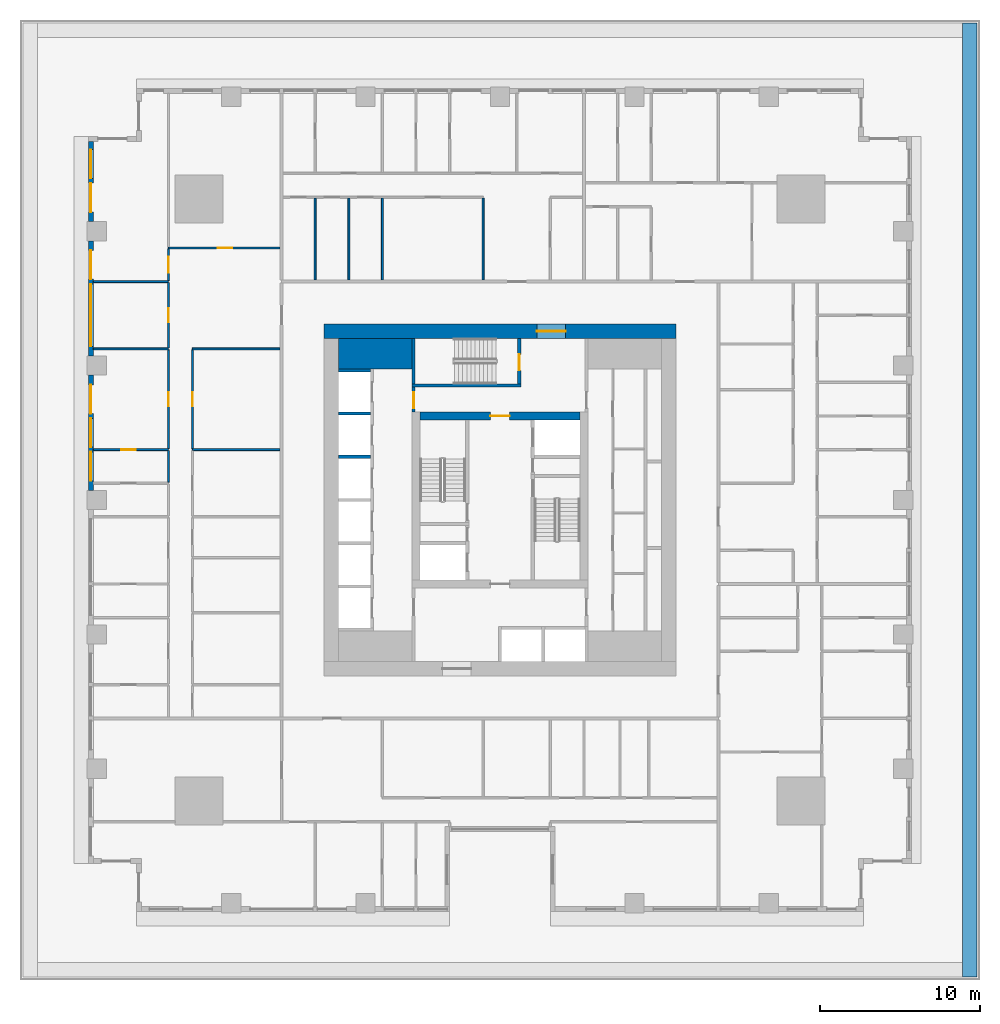
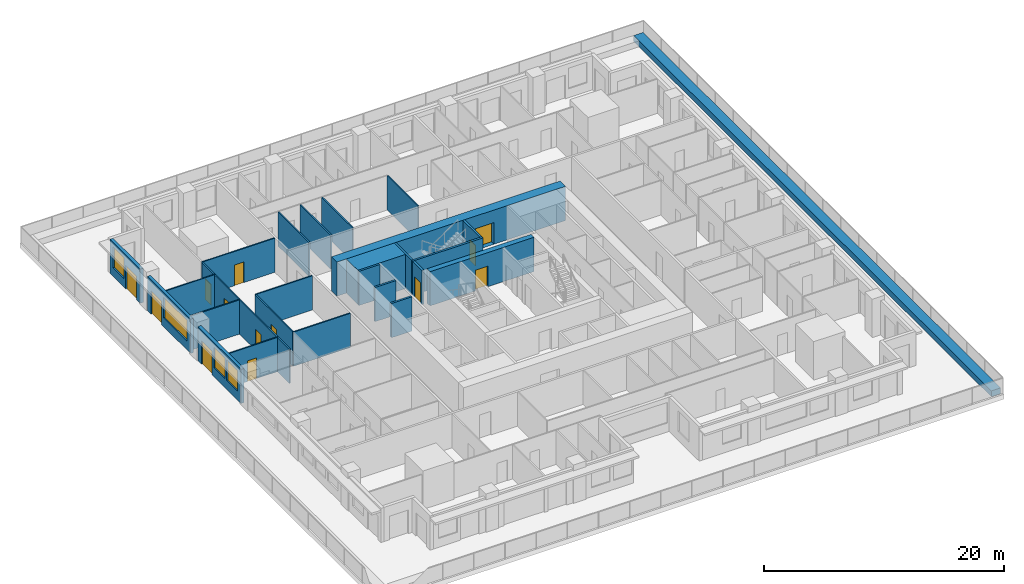
# One storey, part 7 of 16: 29 walls, 13 doors, 4 windows, 17 openings.
"""IFC4 building model written with IfcOpenShell, lengths in metres."""

from ifc_helpers import new_model, si_unit, direction, frame, frame_2d, origin, place, context, subcontext, project, spatial, rectangle, extrude, material, layer, layer_set, type_object, element, fill, save


model = new_model("IFC4")

# Units and contexts
model_context = context("Model", 3, precision=1e-05, world=origin(), true_north=direction((0.0, 1.0)))
body_context = subcontext(model_context, "Body", "Model", "MODEL_VIEW")
ifc_project = project(units=[si_unit("LENGTHUNIT", "METRE"), si_unit("AREAUNIT", "SQUARE_METRE"), si_unit("VOLUMEUNIT", "CUBIC_METRE"), si_unit("PLANEANGLEUNIT", "RADIAN"), si_unit("MASSUNIT", "GRAM", prefix="KILO")], contexts=[model_context])

# Site, building, storey
site_placement = place(None, origin())
site = spatial("IfcSite", under=ifc_project, at=site_placement, CompositionType="ELEMENT")
building_placement = place(site_placement, origin())
building = spatial("IfcBuilding", under=site, at=building_placement, Name="Khepri Terraces", CompositionType="ELEMENT")
storey_placement = place(building_placement, frame((0.0, 0.0, 27.0)))
storey = spatial("IfcBuildingStorey", under=building, at=storey_placement, Name="L05", CompositionType="ELEMENT", Elevation=27.0)

# Walls
ifc_material_1 = material(Name="Concrete C80/95", Category="concrete")
ifc_layer_1 = layer(ifc_material_1, 1.89990234375, Name="Concrete C80/95", Category="concrete")
ifc_layer_set_1 = layer_set([ifc_layer_1], Name="Concrete C80/95")
wall_type_1 = type_object("IfcWallType", Name="Core wall 1900 C80/95", PredefinedType="SHEAR", material=ifc_layer_set_1)
wall_1_placement = place(storey_placement, frame((-10.10009765625, 9.14990234375, 0.0), z_axis=(0.0, 0.0, 1.0), x_axis=(1.0, 0.0, 0.0)))
element("IfcWall", 1, at=wall_1_placement, inside=storey, type_object=wall_type_1, Name="Core wall PR03 L05", PredefinedType="SHEAR", context=body_context, shape_type="SweptSolid", body=[
    extrude(rectangle(XDim=4.60009765625, YDim=1.89990234375, at=frame_2d((2.300048828125, 0.0))), origin(), (0.0, 0.0, 1.0), 3.47998046875),
])
ifc_layer_2 = layer(ifc_material_1, 0.199951171875, Name="Concrete C80/95", Category="concrete")
ifc_layer_set_2 = layer_set([ifc_layer_2], Name="Concrete C80/95")
wall_type_2 = type_object("IfcWallType", Name="Core wall 200 C80/95", PredefinedType="SHEAR", material=ifc_layer_set_2)
wall_2_placement = place(storey_placement, frame((-5.5, 7.14990234375, 0.0), z_axis=(0.0, 0.0, 1.0), x_axis=(1.0, 0.0, 0.0)))
element("IfcWall", 2, at=wall_2_placement, inside=storey, type_object=wall_type_2, Name="Core wall ST05 L05", PredefinedType="SHEAR", context=body_context, shape_type="SweptSolid", body=[
    extrude(rectangle(XDim=6.800048828125, YDim=0.199951171875, at=frame_2d((3.39990234375, 0.0))), origin(), (0.0, 0.0, 1.0), 3.47998046875),
])
wall_3_placement = place(storey_placement, frame((-5.39990234375, 7.25, 0.0), z_axis=(0.0, 0.0, 1.0), x_axis=(0.0, 1.0, 0.0)))
element("IfcWall", 3, at=wall_3_placement, inside=storey, type_object=wall_type_2, Name="Core wall ST06 L05", PredefinedType="SHEAR", context=body_context, shape_type="SweptSolid", body=[
    extrude(rectangle(XDim=2.85009765625, YDim=0.199951171875, at=frame_2d((1.425048828125, 0.0))), origin(), (0.0, 0.0, 1.0), 3.47998046875),
])

# Wall, opening, door
wall_4_placement = place(storey_placement, frame((1.199951171875, 7.25, 0.0), z_axis=(0.0, 0.0, 1.0), x_axis=(0.0, 1.0, 0.0)))
wall_4 = element("IfcWall", 4, at=wall_4_placement, inside=storey, type_object=wall_type_2, Name="Core wall ST07 L05", PredefinedType="SHEAR", context=body_context, shape_type="SweptSolid", body=[
    extrude(rectangle(XDim=2.85009765625, YDim=0.199951171875, at=frame_2d((1.425048828125, 0.0))), origin(), (0.0, 0.0, 1.0), 3.47998046875),
])
opening_1_placement = place(wall_4_placement, frame((0.85009765625, 0.0, 0.0)))
opening_1 = element("IfcOpeningElement", 5, at=opening_1_placement, cuts=wall_4, Name="Opening L05-C15", PredefinedType="OPENING", context=body_context, shape_type="SweptSolid", body=[
    extrude(rectangle(XDim=1.0, YDim=2.10009765625, at=frame_2d((0.5, 1.050048828125))), frame((0.0, 0.10986328125, 0.0), z_axis=(0.0, -1.0, 0.0), x_axis=(1.0, 0.0, 0.0)), (0.0, 0.0, 1.0), 0.219970703125),
])
ifc_material_2 = material(Name="Painted steel", Category="steel")
door_type_1 = type_object("IfcDoorType", Name="DR-CORE-STAIR-1000", OperationType="NOTDEFINED", PredefinedType="DOOR", material=ifc_material_2)
door_1_placement = place(opening_1_placement, origin())
door_1 = element("IfcDoor", 6, at=door_1_placement, inside=storey, type_object=door_type_1, Name="Stair door L05-C15", OperationType="SINGLE_SWING_LEFT", OverallHeight=2.10009765625, OverallWidth=1.0, PredefinedType="DOOR", context=body_context, shape_type="SweptSolid", body=[
    extrude(rectangle(XDim=1.0, YDim=2.10009765625, at=frame_2d((0.5, 1.050048828125))), frame((0.0, 0.02490234375, 0.0), z_axis=(0.0, -1.0, 0.0), x_axis=(1.0, 0.0, 0.0)), (0.0, 0.0, 1.0), 0.050048828125),
])
fill(opening_1, door_1)

# Walls
for number, where, z_axis, x_axis, name in (
    (7, (-10.10009765625, 2.699951171875, 0.0), (0.0, 0.0, 1.0), (1.0, 0.0, 0.0), "Core wall SH17 L05"),
    (8, (-10.10009765625, 5.39990234375, 0.0), (0.0, 0.0, 1.0), (1.0, 0.0, 0.0), "Core wall SH19 L05"),
    (9, (-10.10009765625, 8.10009765625, 0.0), (0.0, 0.0, 1.0), (1.0, 0.0, 0.0), "Core wall SH20 L05"),
):
    element("IfcWall", number, at=place(storey_placement, frame(where, z_axis=z_axis, x_axis=x_axis)), inside=storey, type_object=wall_type_2, Name=name, PredefinedType="SHEAR", context=body_context, shape_type="SweptSolid", body=[
        extrude(rectangle(XDim=2.0, YDim=0.199951171875, at=frame_2d((1.0, 0.0))), origin(), (0.0, 0.0, 1.0), 3.47998046875),
    ])

# Wall, opening, door
ifc_layer_3 = layer(ifc_material_1, 0.5, Name="Concrete C80/95", Category="concrete")
ifc_layer_set_3 = layer_set([ifc_layer_3], Name="Concrete C80/95")
wall_type_3 = type_object("IfcWallType", Name="Core wall 500 C80/95", PredefinedType="SHEAR", material=ifc_layer_set_3)
wall_5_placement = place(storey_placement, frame((-5.0, 5.25, 0.0), z_axis=(0.0, 0.0, 1.0), x_axis=(1.0, 0.0, 0.0)))
wall_5 = element("IfcWall", 10, at=wall_5_placement, inside=storey, type_object=wall_type_3, Name="Core wall BX04 L05", PredefinedType="SHEAR", context=body_context, shape_type="SweptSolid", body=[
    extrude(rectangle(XDim=10.0, YDim=0.5, at=frame_2d((5.0, 0.0))), origin(), (0.0, 0.0, 1.0), 3.47998046875),
])
opening_2_placement = place(wall_5_placement, frame((4.39990234375, 0.0, 0.0)))
opening_2 = element("IfcOpeningElement", 11, at=opening_2_placement, cuts=wall_5, Name="Opening L05-C13", PredefinedType="OPENING", context=body_context, shape_type="SweptSolid", body=[
    extrude(rectangle(XDim=1.199951171875, YDim=2.10009765625, at=frame_2d((0.60009765625, 1.050048828125))), frame((0.0, 0.260009765625, 0.0), z_axis=(0.0, -1.0, 0.0), x_axis=(1.0, 0.0, 0.0)), (0.0, 0.0, 1.0), 0.52001953125),
])
door_type_2 = type_object("IfcDoorType", Name="DR-CORE-FF-LOBBY-1200", OperationType="NOTDEFINED", PredefinedType="DOOR", material=ifc_material_2)
door_2_placement = place(opening_2_placement, frame((1.199951171875, 0.0, 0.0), z_axis=(0.0, 0.0, 1.0), x_axis=(-1.0, 0.0, 0.0)))
door_2 = element("IfcDoor", 12, at=door_2_placement, inside=storey, type_object=door_type_2, Name="Firefighting lobby door L05-C13", OperationType="SINGLE_SWING_LEFT", OverallHeight=2.10009765625, OverallWidth=1.199951171875, PredefinedType="DOOR", context=body_context, shape_type="SweptSolid", body=[
    extrude(rectangle(XDim=1.199951171875, YDim=2.10009765625, at=frame_2d((0.60009765625, 1.050048828125))), frame((0.0, 0.02490234375, 0.0), z_axis=(0.0, -1.0, 0.0), x_axis=(1.0, 0.0, 0.0)), (0.0, 0.0, 1.0), 0.050048828125),
])
fill(opening_2, door_2)

ifc_layer_4 = layer(ifc_material_1, 0.89990234375, Name="Concrete C80/95", Category="concrete")
ifc_layer_set_4 = layer_set([ifc_layer_4], Name="Concrete C80/95")
wall_type_4 = type_object("IfcWallType", Name="Core wall 900 C80/95", PredefinedType="SHEAR", material=ifc_layer_set_4)
wall_6_placement = place(storey_placement, frame((-11.0, 10.550048828125, 0.0), z_axis=(0.0, 0.0, 1.0), x_axis=(1.0, 0.0, 0.0)))
wall_6 = element("IfcWall", 13, at=wall_6_placement, inside=storey, type_object=wall_type_4, Name="Core wall OW-N L05", PredefinedType="SHEAR", context=body_context, shape_type="SweptSolid", body=[
    extrude(rectangle(XDim=22.0, YDim=0.89990234375, at=frame_2d((11.0, 0.0))), origin(), (0.0, 0.0, 1.0), 3.47998046875),
])
opening_3_placement = place(wall_6_placement, frame((13.300048828125, 0.0, 0.0)))
opening_3 = element("IfcOpeningElement", 14, at=opening_3_placement, cuts=wall_6, Name="Opening L05-C20", PredefinedType="OPENING", context=body_context, shape_type="SweptSolid", body=[
    extrude(rectangle(XDim=1.800048828125, YDim=2.199951171875, at=frame_2d((0.89990234375, 1.10009765625))), frame((0.0, 0.4599609375, 0.0), z_axis=(0.0, -1.0, 0.0), x_axis=(1.0, 0.0, 0.0)), (0.0, 0.0, 1.0), 0.919921875),
])
door_type_3 = type_object("IfcDoorType", Name="DR-CORE-ENTRANCE-1800", OperationType="NOTDEFINED", PredefinedType="DOOR", material=ifc_material_2)
door_3_placement = place(opening_3_placement, origin())
door_3 = element("IfcDoor", 15, at=door_3_placement, inside=storey, type_object=door_type_3, Name="Core entrance door pair L05-C20", OperationType="DOUBLE_DOOR_SINGLE_SWING", OverallHeight=2.199951171875, OverallWidth=1.800048828125, PredefinedType="DOOR", context=body_context, shape_type="SweptSolid", body=[
    extrude(rectangle(XDim=1.800048828125, YDim=2.199951171875, at=frame_2d((0.89990234375, 1.10009765625))), frame((0.0, 0.02490234375, 0.0), z_axis=(0.0, -1.0, 0.0), x_axis=(1.0, 0.0, 0.0)), (0.0, 0.0, 1.0), 0.050048828125),
])
fill(opening_3, door_3)

ifc_material_3 = material(Name="Fire-rated gypsum board partition")
ifc_layer_5 = layer(ifc_material_3, 0.199951171875, Name="Fire-rated gypsum board partition")
ifc_layer_set_5 = layer_set([ifc_layer_5], Name="Fire-rated gypsum board partition")
wall_type_5 = type_object("IfcWallType", Name="WL-CORE-PART-200", PredefinedType="PARTITIONING", material=ifc_layer_set_5)
wall_7_placement = place(storey_placement, frame((-5.39990234375, 5.5, 0.0), z_axis=(0.0, 0.0, 1.0), x_axis=(0.0, 1.0, 0.0)))
wall_7 = element("IfcWall", 16, at=wall_7_placement, inside=storey, type_object=wall_type_5, Name="Core partition PT07 L05", PredefinedType="PARTITIONING", context=body_context, shape_type="SweptSolid", body=[
    extrude(rectangle(XDim=1.550048828125, YDim=0.199951171875, at=frame_2d((0.77490234375, 0.0))), origin(), (0.0, 0.0, 1.0), 3.47998046875),
])
opening_4_placement = place(wall_7_placement, frame((0.25, 0.0, 0.0)))
opening_4 = element("IfcOpeningElement", 17, at=opening_4_placement, cuts=wall_7, Name="Opening L05-C16", PredefinedType="OPENING", context=body_context, shape_type="SweptSolid", body=[
    extrude(rectangle(XDim=1.0, YDim=2.10009765625, at=frame_2d((0.5, 1.050048828125))), frame((0.0, 0.10986328125, 0.0), z_axis=(0.0, -1.0, 0.0), x_axis=(1.0, 0.0, 0.0)), (0.0, 0.0, 1.0), 0.219970703125),
])
door_type_4 = type_object("IfcDoorType", Name="DR-CORE-LOBBY-1000", OperationType="NOTDEFINED", PredefinedType="DOOR", material=ifc_material_2)
door_4_placement = place(opening_4_placement, frame((1.0, 0.0, 0.0), z_axis=(0.0, 0.0, 1.0), x_axis=(-1.0, 0.0, 0.0)))
door_4 = element("IfcDoor", 18, at=door_4_placement, inside=storey, type_object=door_type_4, Name="Lobby door L05-C16", OperationType="SINGLE_SWING_RIGHT", OverallHeight=2.10009765625, OverallWidth=1.0, PredefinedType="DOOR", context=body_context, shape_type="SweptSolid", body=[
    extrude(rectangle(XDim=1.0, YDim=2.10009765625, at=frame_2d((0.5, 1.050048828125))), frame((0.0, 0.02490234375, 0.0), z_axis=(0.0, -1.0, 0.0), x_axis=(1.0, 0.0, 0.0)), (0.0, 0.0, 1.0), 0.050048828125),
])
fill(opening_4, door_4)

# Wall, openings, door, window
ifc_material_4 = material(Name="Precast concrete C50/60 warm stone", Category="masonry")
ifc_layer_6 = layer(ifc_material_4, 0.300048828125, Name="Precast concrete C50/60 warm stone", Category="masonry")
ifc_layer_set_6 = layer_set([ifc_layer_6], Name="Precast concrete C50/60 warm stone")
wall_type_6 = type_object("IfcWallType", Name="WL-EXT-PRECAST-300", PredefinedType="STANDARD", material=ifc_layer_set_6)
wall_8_placement = place(storey_placement, frame((-25.570068359375, 22.419921875, 0.0), z_axis=(0.0, 0.0, 1.0), x_axis=(0.0, -1.0, 0.0)))
wall_8 = element("IfcWall", 19, at=wall_8_placement, inside=storey, type_object=wall_type_6, Name="External wall L05 W", PredefinedType="STANDARD", context=body_context, shape_type="SweptSolid", body=[
    extrude(rectangle(XDim=5.02001953125, YDim=0.300048828125, at=frame_2d((2.510009765625, 0.0))), origin(), (0.0, 0.0, 1.0), 3.47998046875),
])
opening_5_placement = place(wall_8_placement, frame((0.52001953125, 0.0, 0.89990234375)))
opening_5 = element("IfcOpeningElement", 20, at=opening_5_placement, cuts=wall_8, Name="Opening W1", PredefinedType="OPENING", context=body_context, shape_type="SweptSolid", body=[
    extrude(rectangle(XDim=1.800048828125, YDim=2.10009765625, at=frame_2d((0.89990234375, 1.050048828125))), frame((0.0, 0.16015625, 0.0), z_axis=(0.0, -1.0, 0.0), x_axis=(1.0, 0.0, 0.0)), (0.0, 0.0, 1.0), 0.320068359375),
])
opening_6_placement = place(wall_8_placement, frame((2.6201171875, 0.0, 0.0)))
opening_6 = element("IfcOpeningElement", 21, at=opening_6_placement, cuts=wall_8, Name="Opening ED-L05-18", PredefinedType="OPENING", context=body_context, shape_type="SweptSolid", body=[
    extrude(rectangle(XDim=1.800048828125, YDim=2.39990234375, at=frame_2d((0.89990234375, 1.199951171875))), frame((0.0, 0.16015625, 0.0), z_axis=(0.0, -1.0, 0.0), x_axis=(1.0, 0.0, 0.0)), (0.0, 0.0, 1.0), 0.320068359375),
])
ifc_material_5 = material(Name="Anodised aluminium bronze glazed door", Category="aluminium")
door_type_5 = type_object("IfcDoorType", Name="DR-BAL-SLIDE-1800x2400", OperationType="NOTDEFINED", PredefinedType="DOOR", material=ifc_material_5)
door_5_placement = place(opening_6_placement, origin())
door_5 = element("IfcDoor", 22, at=door_5_placement, inside=storey, type_object=door_type_5, Name="Balcony door L05 W", OperationType="SLIDING_TO_RIGHT", OverallHeight=2.39990234375, OverallWidth=1.800048828125, PredefinedType="DOOR", context=body_context, shape_type="SweptSolid", body=[
    extrude(rectangle(XDim=1.800048828125, YDim=2.39990234375, at=frame_2d((0.89990234375, 1.199951171875))), frame((0.0, 0.02490234375, 0.0), z_axis=(0.0, -1.0, 0.0), x_axis=(1.0, 0.0, 0.0)), (0.0, 0.0, 1.0), 0.050048828125),
])
fill(opening_6, door_5)
ifc_material_6 = material(Name="Clear glass", Category="glass")
window_type_1 = type_object("IfcWindowType", Name="WIN-RES-1800x2100", PartitioningType="SINGLE_PANEL", PredefinedType="WINDOW", material=ifc_material_6)
window_1_placement = place(opening_5_placement, origin())
window_1 = element("IfcWindow", 23, at=window_1_placement, inside=storey, type_object=window_type_1, Name="Window L05 W", OverallHeight=2.10009765625, OverallWidth=1.800048828125, PartitioningType="SINGLE_PANEL", PredefinedType="WINDOW", context=body_context, shape_type="SweptSolid", body=[
    extrude(rectangle(XDim=1.800048828125, YDim=2.10009765625, at=frame_2d((0.89990234375, 1.050048828125))), frame((0.0, 0.030029296875, 0.0), z_axis=(0.0, -1.0, 0.0), x_axis=(1.0, 0.0, 0.0)), (0.0, 0.0, 1.0), 0.06005859375),
])
fill(opening_5, window_1)

wall_9_placement = place(storey_placement, frame((-25.570068359375, 16.199951171875, 0.0), z_axis=(0.0, 0.0, 1.0), x_axis=(0.0, -1.0, 0.0)))
wall_9 = element("IfcWall", 24, at=wall_9_placement, inside=storey, type_object=wall_type_6, Name="External wall L05 W", PredefinedType="STANDARD", context=body_context, shape_type="SweptSolid", body=[
    extrude(rectangle(XDim=7.199951171875, YDim=0.300048828125, at=frame_2d((3.60009765625, 0.0))), origin(), (0.0, 0.0, 1.0), 3.47998046875),
])
opening_7_placement = place(wall_9_placement, frame((0.60009765625, 0.0, 0.0)))
opening_7 = element("IfcOpeningElement", 25, at=opening_7_placement, cuts=wall_9, Name="Opening ED-L05-19", PredefinedType="OPENING", context=body_context, shape_type="SweptSolid", body=[
    extrude(rectangle(XDim=1.800048828125, YDim=2.39990234375, at=frame_2d((0.89990234375, 1.199951171875))), frame((0.0, 0.16015625, 0.0), z_axis=(0.0, -1.0, 0.0), x_axis=(1.0, 0.0, 0.0)), (0.0, 0.0, 1.0), 0.320068359375),
])
opening_8_placement = place(wall_9_placement, frame((2.699951171875, 0.0, 0.89990234375)))
opening_8 = element("IfcOpeningElement", 26, at=opening_8_placement, cuts=wall_9, Name="Opening W2", PredefinedType="OPENING", context=body_context, shape_type="SweptSolid", body=[
    extrude(rectangle(XDim=3.89990234375, YDim=2.10009765625, at=frame_2d((1.949951171875, 1.050048828125))), frame((0.0, 0.16015625, 0.0), z_axis=(0.0, -1.0, 0.0), x_axis=(1.0, 0.0, 0.0)), (0.0, 0.0, 1.0), 0.320068359375),
])
door_6_placement = place(opening_7_placement, origin())
door_6 = element("IfcDoor", 27, at=door_6_placement, inside=storey, type_object=door_type_5, Name="Balcony door L05 W", OperationType="SLIDING_TO_LEFT", OverallHeight=2.39990234375, OverallWidth=1.800048828125, PredefinedType="DOOR", context=body_context, shape_type="SweptSolid", body=[
    extrude(rectangle(XDim=1.800048828125, YDim=2.39990234375, at=frame_2d((0.89990234375, 1.199951171875))), frame((0.0, 0.02490234375, 0.0), z_axis=(0.0, -1.0, 0.0), x_axis=(1.0, 0.0, 0.0)), (0.0, 0.0, 1.0), 0.050048828125),
])
fill(opening_7, door_6)
window_type_2 = type_object("IfcWindowType", Name="WIN-RES-3900x2100", PartitioningType="SINGLE_PANEL", PredefinedType="WINDOW", material=ifc_material_6)
window_2_placement = place(opening_8_placement, origin())
window_2 = element("IfcWindow", 28, at=window_2_placement, inside=storey, type_object=window_type_2, Name="Window L05 W", OverallHeight=2.10009765625, OverallWidth=3.89990234375, PartitioningType="SINGLE_PANEL", PredefinedType="WINDOW", context=body_context, shape_type="SweptSolid", body=[
    extrude(rectangle(XDim=3.89990234375, YDim=2.10009765625, at=frame_2d((1.949951171875, 1.050048828125))), frame((0.0, 0.030029296875, 0.0), z_axis=(0.0, -1.0, 0.0), x_axis=(1.0, 0.0, 0.0)), (0.0, 0.0, 1.0), 0.06005859375),
])
fill(opening_8, window_2)

# Wall, openings, door, windows
wall_10_placement = place(storey_placement, frame((-25.570068359375, 7.800048828125, 0.0), z_axis=(0.0, 0.0, 1.0), x_axis=(0.0, -1.0, 0.0)))
wall_10 = element("IfcWall", 29, at=wall_10_placement, inside=storey, type_object=wall_type_6, Name="External wall L05 W", PredefinedType="STANDARD", context=body_context, shape_type="SweptSolid", body=[
    extrude(rectangle(XDim=7.199951171875, YDim=0.300048828125, at=frame_2d((3.60009765625, 0.0))), origin(), (0.0, 0.0, 1.0), 3.47998046875),
])
opening_9_placement = place(wall_10_placement, frame((0.60009765625, 0.0, 0.0)))
opening_9 = element("IfcOpeningElement", 30, at=opening_9_placement, cuts=wall_10, Name="Opening ED-L05-20", PredefinedType="OPENING", context=body_context, shape_type="SweptSolid", body=[
    extrude(rectangle(XDim=1.800048828125, YDim=2.39990234375, at=frame_2d((0.89990234375, 1.199951171875))), frame((0.0, 0.16015625, 0.0), z_axis=(0.0, -1.0, 0.0), x_axis=(1.0, 0.0, 0.0)), (0.0, 0.0, 1.0), 0.320068359375),
])
opening_10_placement = place(wall_10_placement, frame((2.699951171875, 0.0, 0.89990234375)))
opening_10 = element("IfcOpeningElement", 31, at=opening_10_placement, cuts=wall_10, Name="Opening W1", PredefinedType="OPENING", context=body_context, shape_type="SweptSolid", body=[
    extrude(rectangle(XDim=1.800048828125, YDim=2.10009765625, at=frame_2d((0.89990234375, 1.050048828125))), frame((0.0, 0.16015625, 0.0), z_axis=(0.0, -1.0, 0.0), x_axis=(1.0, 0.0, 0.0)), (0.0, 0.0, 1.0), 0.320068359375),
])
opening_11_placement = place(wall_10_placement, frame((4.800048828125, 0.0, 0.89990234375)))
opening_11 = element("IfcOpeningElement", 32, at=opening_11_placement, cuts=wall_10, Name="Opening W1", PredefinedType="OPENING", context=body_context, shape_type="SweptSolid", body=[
    extrude(rectangle(XDim=1.800048828125, YDim=2.10009765625, at=frame_2d((0.89990234375, 1.050048828125))), frame((0.0, 0.16015625, 0.0), z_axis=(0.0, -1.0, 0.0), x_axis=(1.0, 0.0, 0.0)), (0.0, 0.0, 1.0), 0.320068359375),
])
door_7_placement = place(opening_9_placement, origin())
door_7 = element("IfcDoor", 33, at=door_7_placement, inside=storey, type_object=door_type_5, Name="Balcony door L05 W", OperationType="SLIDING_TO_LEFT", OverallHeight=2.39990234375, OverallWidth=1.800048828125, PredefinedType="DOOR", context=body_context, shape_type="SweptSolid", body=[
    extrude(rectangle(XDim=1.800048828125, YDim=2.39990234375, at=frame_2d((0.89990234375, 1.199951171875))), frame((0.0, 0.02490234375, 0.0), z_axis=(0.0, -1.0, 0.0), x_axis=(1.0, 0.0, 0.0)), (0.0, 0.0, 1.0), 0.050048828125),
])
fill(opening_9, door_7)
window_3_placement = place(opening_10_placement, origin())
window_3 = element("IfcWindow", 34, at=window_3_placement, inside=storey, type_object=window_type_1, Name="Window L05 W", OverallHeight=2.10009765625, OverallWidth=1.800048828125, PartitioningType="SINGLE_PANEL", PredefinedType="WINDOW", context=body_context, shape_type="SweptSolid", body=[
    extrude(rectangle(XDim=1.800048828125, YDim=2.10009765625, at=frame_2d((0.89990234375, 1.050048828125))), frame((0.0, 0.030029296875, 0.0), z_axis=(0.0, -1.0, 0.0), x_axis=(1.0, 0.0, 0.0)), (0.0, 0.0, 1.0), 0.06005859375),
])
fill(opening_10, window_3)
window_4_placement = place(opening_11_placement, origin())
window_4 = element("IfcWindow", 35, at=window_4_placement, inside=storey, type_object=window_type_1, Name="Window L05 W", OverallHeight=2.10009765625, OverallWidth=1.800048828125, PartitioningType="SINGLE_PANEL", PredefinedType="WINDOW", context=body_context, shape_type="SweptSolid", body=[
    extrude(rectangle(XDim=1.800048828125, YDim=2.10009765625, at=frame_2d((0.89990234375, 1.050048828125))), frame((0.0, 0.030029296875, 0.0), z_axis=(0.0, -1.0, 0.0), x_axis=(1.0, 0.0, 0.0)), (0.0, 0.0, 1.0), 0.06005859375),
])
fill(opening_11, window_4)

# Wall
ifc_material_7 = material(Name="Gypsum plasterboard partition")
ifc_layer_7 = layer(ifc_material_7, 0.1201171875, Name="Gypsum plasterboard partition")
ifc_layer_set_7 = layer_set([ifc_layer_7], Name="Gypsum plasterboard partition")
wall_type_7 = type_object("IfcWallType", Name="WL-PART-120", PredefinedType="PARTITIONING", material=ifc_layer_set_7)
wall_11_placement = place(storey_placement, frame((-20.719970703125, 1.110107421875, 0.0), z_axis=(0.0, 0.0, 1.0), x_axis=(0.0, 1.0, 0.0)))
element("IfcWall", 36, at=wall_11_placement, inside=storey, type_object=wall_type_7, Name="Partition P-062 L05", PredefinedType="PARTITIONING", context=body_context, shape_type="SweptSolid", body=[
    extrude(rectangle(XDim=1.97998046875, YDim=0.1201171875, at=frame_2d((0.989990234375, 0.0))), origin(), (0.0, 0.0, 1.0), 3.47998046875),
])

# Wall, opening, door
wall_12_placement = place(storey_placement, frame((-25.419921875, 3.14990234375, 0.0), z_axis=(0.0, 0.0, 1.0), x_axis=(1.0, 0.0, 0.0)))
wall_12 = element("IfcWall", 37, at=wall_12_placement, inside=storey, type_object=wall_type_7, Name="Partition P-064 L05", PredefinedType="PARTITIONING", context=body_context, shape_type="SweptSolid", body=[
    extrude(rectangle(XDim=4.699951171875, YDim=0.1201171875, at=frame_2d((2.35009765625, 0.0))), origin(), (0.0, 0.0, 1.0), 3.47998046875),
])
opening_12_placement = place(wall_12_placement, frame((1.75, 0.0, 0.0)))
opening_12 = element("IfcOpeningElement", 38, at=opening_12_placement, cuts=wall_12, Name="Opening D3", PredefinedType="OPENING", context=body_context, shape_type="SweptSolid", body=[
    extrude(rectangle(XDim=0.89990234375, YDim=2.10009765625, at=frame_2d((0.449951171875, 1.050048828125))), frame((0.0, 0.070068359375, 0.0), z_axis=(0.0, -1.0, 0.0), x_axis=(1.0, 0.0, 0.0)), (0.0, 0.0, 1.0), 0.14013671875),
])
ifc_material_8 = material(Name="Timber door leaf", Category="wood")
door_type_6 = type_object("IfcDoorType", Name="DR-INT-900", OperationType="NOTDEFINED", PredefinedType="DOOR", material=ifc_material_8)
door_8_placement = place(opening_12_placement, frame((0.89990234375, 0.0, 0.0), z_axis=(0.0, 0.0, 1.0), x_axis=(-1.0, 0.0, 0.0)))
door_8 = element("IfcDoor", 39, at=door_8_placement, inside=storey, type_object=door_type_6, Name="Door Dressing Room", OperationType="SINGLE_SWING_RIGHT", OverallHeight=2.10009765625, OverallWidth=0.89990234375, PredefinedType="DOOR", context=body_context, shape_type="SweptSolid", body=[
    extrude(rectangle(XDim=0.89990234375, YDim=2.10009765625, at=frame_2d((0.449951171875, 1.050048828125))), frame((0.0, 0.02490234375, 0.0), z_axis=(0.0, -1.0, 0.0), x_axis=(1.0, 0.0, 0.0)), (0.0, 0.0, 1.0), 0.050048828125),
])
fill(opening_12, door_8)

# Wall
wall_13_placement = place(storey_placement, frame((-19.219970703125, 3.14990234375, 0.0), z_axis=(0.0, 0.0, 1.0), x_axis=(1.0, 0.0, 0.0)))
element("IfcWall", 40, at=wall_13_placement, inside=storey, type_object=wall_type_7, Name="Partition P-065 L05", PredefinedType="PARTITIONING", context=body_context, shape_type="SweptSolid", body=[
    extrude(rectangle(XDim=5.469970703125, YDim=0.1201171875, at=frame_2d((2.73486328125, 0.0))), origin(), (0.0, 0.0, 1.0), 3.47998046875),
])

# Wall, opening, door
wall_14_placement = place(storey_placement, frame((-20.719970703125, 3.2099609375, 0.0), z_axis=(0.0, 0.0, 1.0), x_axis=(0.0, 1.0, 0.0)))
wall_14 = element("IfcWall", 41, at=wall_14_placement, inside=storey, type_object=wall_type_7, Name="Partition P-067 L05", PredefinedType="PARTITIONING", context=body_context, shape_type="SweptSolid", body=[
    extrude(rectangle(XDim=6.179931640625, YDim=0.1201171875, at=frame_2d((3.08984375, 0.0))), origin(), (0.0, 0.0, 1.0), 3.47998046875),
])
opening_13_placement = place(wall_14_placement, frame((2.639892578125, 0.0, 0.0)))
opening_13 = element("IfcOpeningElement", 42, at=opening_13_placement, cuts=wall_14, Name="Opening D3", PredefinedType="OPENING", context=body_context, shape_type="SweptSolid", body=[
    extrude(rectangle(XDim=0.89990234375, YDim=2.10009765625, at=frame_2d((0.449951171875, 1.050048828125))), frame((0.0, 0.070068359375, 0.0), z_axis=(0.0, -1.0, 0.0), x_axis=(1.0, 0.0, 0.0)), (0.0, 0.0, 1.0), 0.14013671875),
])
door_9_placement = place(opening_13_placement, origin())
door_9 = element("IfcDoor", 43, at=door_9_placement, inside=storey, type_object=door_type_6, Name="Door Master Bedroom", OperationType="SINGLE_SWING_LEFT", OverallHeight=2.10009765625, OverallWidth=0.89990234375, PredefinedType="DOOR", context=body_context, shape_type="SweptSolid", body=[
    extrude(rectangle(XDim=0.89990234375, YDim=2.10009765625, at=frame_2d((0.449951171875, 1.050048828125))), frame((0.0, 0.02490234375, 0.0), z_axis=(0.0, -1.0, 0.0), x_axis=(1.0, 0.0, 0.0)), (0.0, 0.0, 1.0), 0.050048828125),
])
fill(opening_13, door_9)

wall_15_placement = place(storey_placement, frame((-19.219970703125, 3.2099609375, 0.0), z_axis=(0.0, 0.0, 1.0), x_axis=(0.0, 1.0, 0.0)))
wall_15 = element("IfcWall", 44, at=wall_15_placement, inside=storey, type_object=wall_type_7, Name="Partition P-068 L05", PredefinedType="PARTITIONING", context=body_context, shape_type="SweptSolid", body=[
    extrude(rectangle(XDim=6.179931640625, YDim=0.1201171875, at=frame_2d((3.08984375, 0.0))), origin(), (0.0, 0.0, 1.0), 3.47998046875),
])
opening_14_placement = place(wall_15_placement, frame((2.639892578125, 0.0, 0.0)))
opening_14 = element("IfcOpeningElement", 45, at=opening_14_placement, cuts=wall_15, Name="Opening D3", PredefinedType="OPENING", context=body_context, shape_type="SweptSolid", body=[
    extrude(rectangle(XDim=0.89990234375, YDim=2.10009765625, at=frame_2d((0.449951171875, 1.050048828125))), frame((0.0, 0.070068359375, 0.0), z_axis=(0.0, -1.0, 0.0), x_axis=(1.0, 0.0, 0.0)), (0.0, 0.0, 1.0), 0.14013671875),
])
door_10_placement = place(opening_14_placement, frame((0.89990234375, 0.0, 0.0), z_axis=(0.0, 0.0, 1.0), x_axis=(-1.0, 0.0, 0.0)))
door_10 = element("IfcDoor", 46, at=door_10_placement, inside=storey, type_object=door_type_6, Name="Door Kitchen", OperationType="SINGLE_SWING_RIGHT", OverallHeight=2.10009765625, OverallWidth=0.89990234375, PredefinedType="DOOR", context=body_context, shape_type="SweptSolid", body=[
    extrude(rectangle(XDim=0.89990234375, YDim=2.10009765625, at=frame_2d((0.449951171875, 1.050048828125))), frame((0.0, 0.02490234375, 0.0), z_axis=(0.0, -1.0, 0.0), x_axis=(1.0, 0.0, 0.0)), (0.0, 0.0, 1.0), 0.050048828125),
])
fill(opening_14, door_10)

# Walls
wall_16_placement = place(storey_placement, frame((-25.419921875, 9.449951171875, 0.0), z_axis=(0.0, 0.0, 1.0), x_axis=(1.0, 0.0, 0.0)))
element("IfcWall", 47, at=wall_16_placement, inside=storey, type_object=wall_type_7, Name="Partition P-076 L05", PredefinedType="PARTITIONING", context=body_context, shape_type="SweptSolid", body=[
    extrude(rectangle(XDim=4.699951171875, YDim=0.1201171875, at=frame_2d((2.35009765625, 0.0))), origin(), (0.0, 0.0, 1.0), 3.47998046875),
])
wall_17_placement = place(storey_placement, frame((-19.219970703125, 9.449951171875, 0.0), z_axis=(0.0, 0.0, 1.0), x_axis=(1.0, 0.0, 0.0)))
element("IfcWall", 48, at=wall_17_placement, inside=storey, type_object=wall_type_7, Name="Partition P-077 L05", PredefinedType="PARTITIONING", context=body_context, shape_type="SweptSolid", body=[
    extrude(rectangle(XDim=5.469970703125, YDim=0.1201171875, at=frame_2d((2.73486328125, 0.0))), origin(), (0.0, 0.0, 1.0), 3.47998046875),
])

# Wall, opening, door
wall_18_placement = place(storey_placement, frame((-20.719970703125, 9.510009765625, 0.0), z_axis=(0.0, 0.0, 1.0), x_axis=(0.0, 1.0, 0.0)))
wall_18 = element("IfcWall", 49, at=wall_18_placement, inside=storey, type_object=wall_type_7, Name="Partition P-078 L05", PredefinedType="PARTITIONING", context=body_context, shape_type="SweptSolid", body=[
    extrude(rectangle(XDim=4.080078125, YDim=0.1201171875, at=frame_2d((2.0400390625, 0.0))), origin(), (0.0, 0.0, 1.0), 3.47998046875),
])
opening_15_placement = place(wall_18_placement, frame((1.590087890625, 0.0, 0.0)))
opening_15 = element("IfcOpeningElement", 50, at=opening_15_placement, cuts=wall_18, Name="Opening D3", PredefinedType="OPENING", context=body_context, shape_type="SweptSolid", body=[
    extrude(rectangle(XDim=0.89990234375, YDim=2.10009765625, at=frame_2d((0.449951171875, 1.050048828125))), frame((0.0, 0.070068359375, 0.0), z_axis=(0.0, -1.0, 0.0), x_axis=(1.0, 0.0, 0.0)), (0.0, 0.0, 1.0), 0.14013671875),
])
door_11_placement = place(opening_15_placement, origin())
door_11 = element("IfcDoor", 51, at=door_11_placement, inside=storey, type_object=door_type_6, Name="Door Study", OperationType="SINGLE_SWING_RIGHT", OverallHeight=2.10009765625, OverallWidth=0.89990234375, PredefinedType="DOOR", context=body_context, shape_type="SweptSolid", body=[
    extrude(rectangle(XDim=0.89990234375, YDim=2.10009765625, at=frame_2d((0.449951171875, 1.050048828125))), frame((0.0, 0.02490234375, 0.0), z_axis=(0.0, -1.0, 0.0), x_axis=(1.0, 0.0, 0.0)), (0.0, 0.0, 1.0), 0.050048828125),
])
fill(opening_15, door_11)

# Wall
wall_19_placement = place(storey_placement, frame((-25.419921875, 13.64990234375, 0.0), z_axis=(0.0, 0.0, 1.0), x_axis=(1.0, 0.0, 0.0)))
element("IfcWall", 52, at=wall_19_placement, inside=storey, type_object=wall_type_7, Name="Partition P-083 L05", PredefinedType="PARTITIONING", context=body_context, shape_type="SweptSolid", body=[
    extrude(rectangle(XDim=4.699951171875, YDim=0.1201171875, at=frame_2d((2.35009765625, 0.0))), origin(), (0.0, 0.0, 1.0), 3.47998046875),
])

# Wall, opening, door
wall_20_placement = place(storey_placement, frame((-20.719970703125, 13.7099609375, 0.0), z_axis=(0.0, 0.0, 1.0), x_axis=(0.0, 1.0, 0.0)))
wall_20 = element("IfcWall", 53, at=wall_20_placement, inside=storey, type_object=wall_type_7, Name="Partition P-085 L05", PredefinedType="PARTITIONING", context=body_context, shape_type="SweptSolid", body=[
    extrude(rectangle(XDim=1.97998046875, YDim=0.1201171875, at=frame_2d((0.989990234375, 0.0))), origin(), (0.0, 0.0, 1.0), 3.47998046875),
])
opening_16_placement = place(wall_20_placement, frame((0.489990234375, 0.0, 0.0)))
opening_16 = element("IfcOpeningElement", 54, at=opening_16_placement, cuts=wall_20, Name="Opening D2", PredefinedType="OPENING", context=body_context, shape_type="SweptSolid", body=[
    extrude(rectangle(XDim=1.0, YDim=2.10009765625, at=frame_2d((0.5, 1.050048828125))), frame((0.0, 0.070068359375, 0.0), z_axis=(0.0, -1.0, 0.0), x_axis=(1.0, 0.0, 0.0)), (0.0, 0.0, 1.0), 0.14013671875),
])
ifc_material_9 = material(Name="Timber door leaf, living room door", Category="wood")
door_type_7 = type_object("IfcDoorType", Name="DR-INT-1000", OperationType="NOTDEFINED", PredefinedType="DOOR", material=ifc_material_9)
door_12_placement = place(opening_16_placement, origin())
door_12 = element("IfcDoor", 55, at=door_12_placement, inside=storey, type_object=door_type_7, Name="Door Living Room", OperationType="SINGLE_SWING_LEFT", OverallHeight=2.10009765625, OverallWidth=1.0, PredefinedType="DOOR", context=body_context, shape_type="SweptSolid", body=[
    extrude(rectangle(XDim=1.0, YDim=2.10009765625, at=frame_2d((0.5, 1.050048828125))), frame((0.0, 0.02490234375, 0.0), z_axis=(0.0, -1.0, 0.0), x_axis=(1.0, 0.0, 0.0)), (0.0, 0.0, 1.0), 0.050048828125),
])
fill(opening_16, door_12)

# Walls
for number, where, z_axis, x_axis, name in (
    (56, (-11.550048828125, 13.75, 0.0), (0.0, 0.0, 1.0), (0.0, 1.0, 0.0), "Partition P-087 L05"),
    (57, (-9.449951171875, 13.75, 0.0), (0.0, 0.0, 1.0), (0.0, 1.0, 0.0), "Partition P-088 L05"),
    (58, (-7.35009765625, 13.75, 0.0), (0.0, 0.0, 1.0), (0.0, 1.0, 0.0), "Partition P-089 L05"),
    (59, (-1.050048828125, 13.75, 0.0), (0.0, 0.0, 1.0), (0.0, 1.0, 0.0), "Partition P-090 L05"),
):
    element("IfcWall", number, at=place(storey_placement, frame(where, z_axis=z_axis, x_axis=x_axis)), inside=storey, type_object=wall_type_7, Name=name, PredefinedType="PARTITIONING", context=body_context, shape_type="SweptSolid", body=[
        extrude(rectangle(XDim=5.110107421875, YDim=0.1201171875, at=frame_2d((2.55517578125, 0.0))), origin(), (0.0, 0.0, 1.0), 3.47998046875),
    ])

# Wall, opening, door
wall_21_placement = place(storey_placement, frame((-20.719970703125, 15.75, 0.0), z_axis=(0.0, 0.0, 1.0), x_axis=(1.0, 0.0, 0.0)))
wall_21 = element("IfcWall", 60, at=wall_21_placement, inside=storey, type_object=wall_type_7, Name="Partition P-096 L05", PredefinedType="PARTITIONING", context=body_context, shape_type="SweptSolid", body=[
    extrude(rectangle(XDim=6.969970703125, YDim=0.1201171875, at=frame_2d((3.48486328125, 0.0))), origin(), (0.0, 0.0, 1.0), 3.47998046875),
])
opening_17_placement = place(wall_21_placement, frame((3.0849609375, 0.0, 0.0)))
opening_17 = element("IfcOpeningElement", 61, at=opening_17_placement, cuts=wall_21, Name="Opening D3", PredefinedType="OPENING", context=body_context, shape_type="SweptSolid", body=[
    extrude(rectangle(XDim=0.89990234375, YDim=2.10009765625, at=frame_2d((0.449951171875, 1.050048828125))), frame((0.0, 0.070068359375, 0.0), z_axis=(0.0, -1.0, 0.0), x_axis=(1.0, 0.0, 0.0)), (0.0, 0.0, 1.0), 0.14013671875),
])
door_13_placement = place(opening_17_placement, origin())
door_13 = element("IfcDoor", 62, at=door_13_placement, inside=storey, type_object=door_type_6, Name="Door Library", OperationType="SINGLE_SWING_RIGHT", OverallHeight=2.10009765625, OverallWidth=0.89990234375, PredefinedType="DOOR", context=body_context, shape_type="SweptSolid", body=[
    extrude(rectangle(XDim=0.89990234375, YDim=2.10009765625, at=frame_2d((0.449951171875, 1.050048828125))), frame((0.0, 0.02490234375, 0.0), z_axis=(0.0, -1.0, 0.0), x_axis=(1.0, 0.0, 0.0)), (0.0, 0.0, 1.0), 0.050048828125),
])
fill(opening_17, door_13)

# Wall
ifc_layer_8 = layer(ifc_material_4, 0.89990234375, Name="Precast concrete C50/60 warm stone", Category="masonry")
ifc_layer_set_8 = layer_set([ifc_layer_8], Name="Precast concrete C50/60 warm stone")
wall_type_8 = type_object("IfcWallType", Name="WL-PLANTER-900", PredefinedType="MOVABLE", material=ifc_layer_set_8)
wall_22_placement = place(storey_placement, frame((29.35009765625, -29.800048828125, 0.0), z_axis=(0.0, 0.0, 1.0), x_axis=(0.0, 1.0, 0.0)))
element("IfcWall", 63, at=wall_22_placement, inside=storey, type_object=wall_type_8, Name="Planter L05", PredefinedType="MOVABLE", context=body_context, shape_type="SweptSolid", body=[
    extrude(rectangle(XDim=59.60009765625, YDim=0.89990234375, at=frame_2d((29.800048828125, 0.0))), origin(), (0.0, 0.0, 1.0), 0.60009765625),
])

save(model, "model.ifc")
